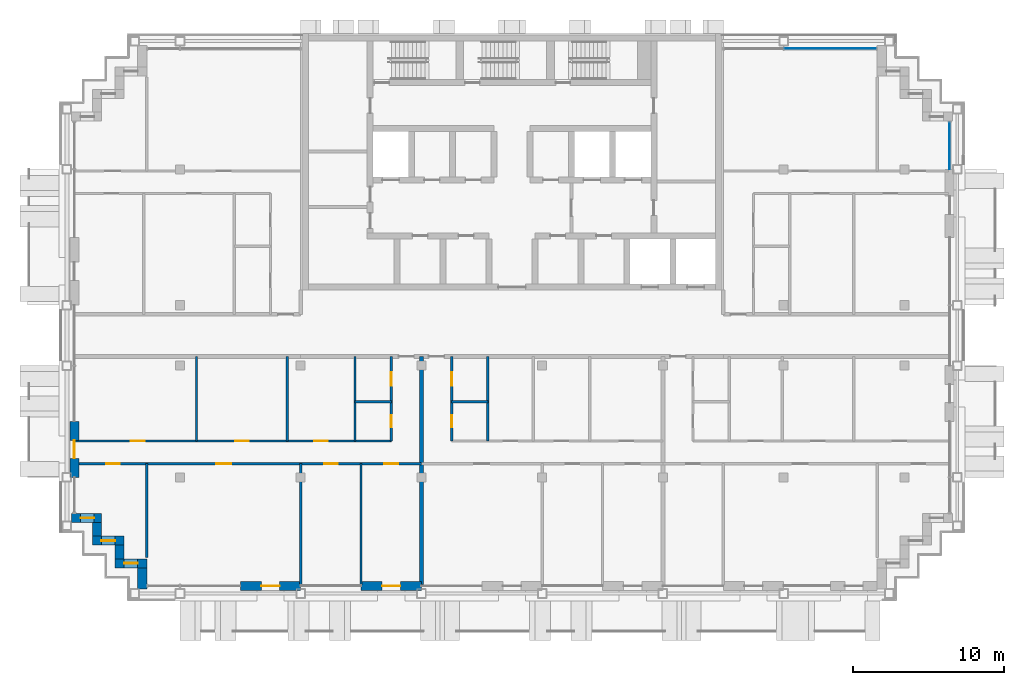
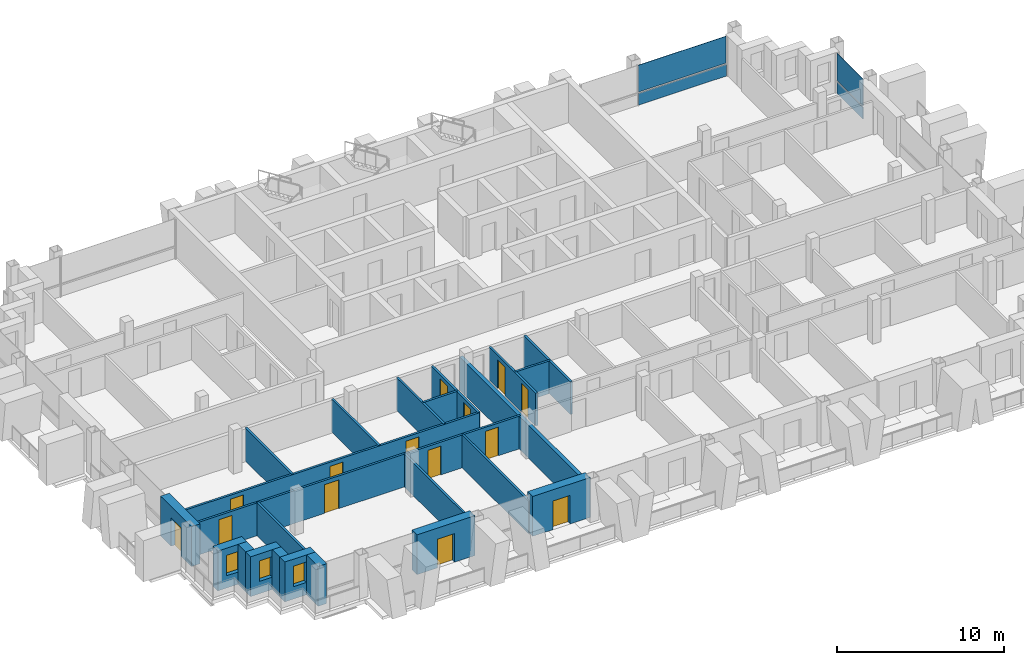
# One storey, part 7 of 15: 23 walls, 14 doors, 4 plates, 3 windows, 17 openings, 2 elements without a shape of their own.
"""IFC4 building model written with IfcOpenShell, lengths in metres."""

from ifc_helpers import new_model, si_unit, direction, frame, frame_2d, origin, origin_2d, place, context, subcontext, project, spatial, rectangle, extrude, material, layer, layer_set, type_object, element, fill, aggregate, save


model = new_model("IFC4")

# Units and contexts
model_context = context("Model", 3, precision=1e-05, world=origin(), true_north=direction((0.0, 1.0)))
body_context = subcontext(model_context, "Body", "Model", "MODEL_VIEW")
ifc_project = project(units=[si_unit("LENGTHUNIT", "METRE"), si_unit("AREAUNIT", "SQUARE_METRE"), si_unit("VOLUMEUNIT", "CUBIC_METRE"), si_unit("PLANEANGLEUNIT", "RADIAN"), si_unit("MASSUNIT", "GRAM", prefix="KILO")], contexts=[model_context])

# Site, building, storey
site_placement = place(None, origin())
site = spatial("IfcSite", under=ifc_project, at=site_placement, CompositionType="ELEMENT")
building_placement = place(site_placement, origin())
building = spatial("IfcBuilding", under=site, at=building_placement, Name="Vidyagriha Tower", CompositionType="ELEMENT")
storey_placement = place(building_placement, frame((0.0, 0.0, 226.800048828125)))
storey = spatial("IfcBuildingStorey", under=building, at=storey_placement, Name="L59", CompositionType="ELEMENT", Elevation=226.800048828125)

# Curtain wall, plate
ifc_material_1 = material(Name="Aluminium and glass curtain wall", Category="aluminium")
curtain_wall_type = type_object("IfcCurtainWallType", Name="Dwelling skin unitised curtain wall", PredefinedType="USERDEFINED", material=ifc_material_1)
curtain_wall_1_placement = place(storey_placement, origin())
curtain_wall_1 = element("IfcCurtainWall", 1, at=curtain_wall_1_placement, inside=storey, type_object=curtain_wall_type, Name="CW1 dwelling skin", ObjectType="UNITISED", PredefinedType="USERDEFINED")
ifc_material_2 = material(Name="Glass dark ceramic-fritted spandrel", Category="glass")
ifc_layer_1 = layer(ifc_material_2, 0.0400390625)
ifc_layer_set_1 = layer_set([ifc_layer_1], Name="Glass dark ceramic-fritted spandrel")
plate_type_1 = type_object("IfcPlateType", Name="Ceramic-fritted spandrel panel", PredefinedType="CURTAIN_PANEL", material=ifc_layer_set_1)
plate_1_placement = place(storey_placement, frame((21.08251953125, 19.0, 0.0), z_axis=(0.0, 0.0, 1.0), x_axis=(-1.0, 0.0, 0.0)))
plate_1 = element("IfcPlate", 2, at=plate_1_placement, type_object=plate_type_1, Name="CW1 panel 1.1", PredefinedType="CURTAIN_PANEL", context=body_context, shape_type="SweptSolid", body=[
    extrude(rectangle(XDim=6.094970703125, YDim=0.0400390625, at=origin_2d()), origin(), (0.0, 0.0, 1.0), 0.85009765625),
])

curtain_wall_2_placement = place(storey_placement, origin())
curtain_wall_2 = element("IfcCurtainWall", 3, at=curtain_wall_2_placement, inside=storey, type_object=curtain_wall_type, Name="CW1 dwelling skin", ObjectType="UNITISED", PredefinedType="USERDEFINED")
plate_2_placement = place(storey_placement, frame((29.0, 12.56494140625, 0.0), z_axis=(0.0, 0.0, 1.0), x_axis=(0.0, 1.0, 0.0)))
plate_2 = element("IfcPlate", 4, at=plate_2_placement, type_object=plate_type_1, Name="CW1 panel 1.1", PredefinedType="CURTAIN_PANEL", context=body_context, shape_type="SweptSolid", body=[
    extrude(rectangle(XDim=3.1298828125, YDim=0.0400390625, at=origin_2d()), origin(), (0.0, 0.0, 1.0), 0.85009765625),
])

# Plate
ifc_material_3 = material(Name="Glass dark ceramic-fritted", Category="glass")
ifc_layer_2 = layer(ifc_material_3, 0.028076171875)
ifc_layer_set_2 = layer_set([ifc_layer_2], Name="Glass dark ceramic-fritted")
plate_type_2 = type_object("IfcPlateType", Name="Dark ceramic-fritted vision glass panel", PredefinedType="CURTAIN_PANEL", material=ifc_layer_set_2)
plate_3_placement = place(storey_placement, frame((21.08251953125, 19.0, 0.9501953125), z_axis=(0.0, 0.0, 1.0), x_axis=(-1.0, 0.0, 0.0)))
plate_3 = element("IfcPlate", 5, at=plate_3_placement, type_object=plate_type_2, Name="CW1 panel 1.2", PredefinedType="CURTAIN_PANEL", context=body_context, shape_type="SweptSolid", body=[
    extrude(rectangle(XDim=6.094970703125, YDim=0.028076171875, at=origin_2d()), origin(), (0.0, 0.0, 1.0), 1.969970703125),
])

aggregate(curtain_wall_1, [plate_1, plate_3])

plate_4_placement = place(storey_placement, frame((29.0, 12.56494140625, 0.9501953125), z_axis=(0.0, 0.0, 1.0), x_axis=(0.0, 1.0, 0.0)))
plate_4 = element("IfcPlate", 6, at=plate_4_placement, type_object=plate_type_2, Name="CW1 panel 1.2", PredefinedType="CURTAIN_PANEL", context=body_context, shape_type="SweptSolid", body=[
    extrude(rectangle(XDim=3.1298828125, YDim=0.028076171875, at=origin_2d()), origin(), (0.0, 0.0, 1.0), 1.969970703125),
])

aggregate(curtain_wall_2, [plate_2, plate_4])

# Wall, opening, door
ifc_material_4 = material(Name="Precast concrete C40/50 with brick facing", Category="concrete")
ifc_layer_3 = layer(ifc_material_4, 0.60009765625)
ifc_layer_set_3 = layer_set([ifc_layer_3], Name="Precast concrete C40/50 with brick facing")
wall_type_1 = type_object("IfcWallType", Name="Brick-faced precast wall 600", PredefinedType="STANDARD", material=ifc_layer_set_3)
wall_1_placement = place(storey_placement, frame((-29.0, -5.699951171875, 0.0), z_axis=(0.0, 0.0, 1.0), x_axis=(0.0, -1.0, 0.0)))
wall_1 = element("IfcWall", 7, at=wall_1_placement, inside=storey, type_object=wall_type_1, Name="Brick door bay wall L59 R16.6", PredefinedType="STANDARD", context=body_context, shape_type="SweptSolid", body=[
    extrude(rectangle(XDim=3.699951171875, YDim=0.60009765625, at=frame_2d((1.85009765625, 0.0))), origin(), (0.0, 0.0, 1.0), 2.919921875),
])
opening_1_placement = place(wall_1_placement, frame((1.25, 0.0, 0.0)))
opening_1 = element("IfcOpeningElement", 8, at=opening_1_placement, cuts=wall_1, Name="Opening D59-61", PredefinedType="OPENING", context=body_context, shape_type="SweptSolid", body=[
    extrude(rectangle(XDim=1.199951171875, YDim=2.10009765625, at=frame_2d((0.60009765625, 1.050048828125))), frame((0.0, 0.31005859375, 0.0), z_axis=(0.0, -1.0, 0.0), x_axis=(1.0, 0.0, 0.0)), (0.0, 0.0, 1.0), 0.6201171875),
])
ifc_material_5 = material(Name="Aluminium framed glazed sliding door", Category="aluminium")
door_type_1 = type_object("IfcDoorType", Name="Balcony sliding door 1200x2100", OperationType="NOTDEFINED", PredefinedType="DOOR", material=ifc_material_5)
door_1_placement = place(opening_1_placement, origin())
door_1 = element("IfcDoor", 9, at=door_1_placement, inside=storey, type_object=door_type_1, Name="Door D59-61", OperationType="SLIDING_TO_LEFT", OverallHeight=2.10009765625, OverallWidth=1.199951171875, PredefinedType="DOOR", context=body_context, shape_type="SweptSolid", body=[
    extrude(rectangle(XDim=1.199951171875, YDim=2.10009765625, at=frame_2d((0.60009765625, 1.050048828125))), frame((0.0, 0.02490234375, 0.0), z_axis=(0.0, -1.0, 0.0), x_axis=(1.0, 0.0, 0.0)), (0.0, 0.0, 1.0), 0.050048828125),
])
fill(opening_1, door_1)

# Wall, opening, window
wall_2_placement = place(storey_placement, frame((-29.199951171875, -12.10009765625, 0.0)))
wall_2 = element("IfcWall", 10, at=wall_2_placement, inside=storey, type_object=wall_type_1, Name="Stepped corner wall L59 R17", PredefinedType="STANDARD", context=body_context, shape_type="SweptSolid", body=[
    extrude(rectangle(XDim=2.0, YDim=0.60009765625, at=frame_2d((1.0, 0.0))), origin(), (0.0, 0.0, 1.0), 2.919921875),
])
opening_2_placement = place(wall_2_placement, frame((0.610107421875, 0.0, 0.89990234375)))
opening_2 = element("IfcOpeningElement", 11, at=opening_2_placement, cuts=wall_2, Name="Opening WN1", PredefinedType="OPENING", context=body_context, shape_type="SweptSolid", body=[
    extrude(rectangle(XDim=0.89990234375, YDim=1.5, at=frame_2d((0.449951171875, 0.75))), frame((0.0, 0.31005859375, 0.0), z_axis=(0.0, -1.0, 0.0), x_axis=(1.0, 0.0, 0.0)), (0.0, 0.0, 1.0), 0.6201171875),
])
ifc_material_6 = material(Name="Aluminium and glass window", Category="aluminium")
window_type = type_object("IfcWindowType", Name="Reveal window 900x1500", PartitioningType="NOTDEFINED", PredefinedType="WINDOW", material=ifc_material_6)
window_1_placement = place(opening_2_placement, origin())
window_1 = element("IfcWindow", 12, at=window_1_placement, inside=storey, type_object=window_type, Name="Reveal window L59 R17", OverallHeight=1.5, OverallWidth=0.89990234375, PartitioningType="SINGLE_PANEL", PredefinedType="WINDOW", context=body_context, shape_type="SweptSolid", body=[
    extrude(rectangle(XDim=0.89990234375, YDim=1.5, at=frame_2d((0.449951171875, 0.75))), frame((0.0, 0.030029296875, 0.0), z_axis=(0.0, -1.0, 0.0), x_axis=(1.0, 0.0, 0.0)), (0.0, 0.0, 1.0), 0.06005859375),
])
fill(opening_2, window_1)

# Wall
wall_3_placement = place(storey_placement, frame((-27.5, -12.39990234375, 0.0), z_axis=(0.0, 0.0, 1.0), x_axis=(0.0, -1.0, 0.0)))
element("IfcWall", 13, at=wall_3_placement, inside=storey, type_object=wall_type_1, Name="Stepped corner wall L59 R18", PredefinedType="STANDARD", context=body_context, shape_type="SweptSolid", body=[
    extrude(rectangle(XDim=0.900146484375, YDim=0.60009765625, at=frame_2d((0.4501953125, 0.0))), origin(), (0.0, 0.0, 1.0), 2.919921875),
])

# Wall, opening, window
wall_4_placement = place(storey_placement, frame((-27.800048828125, -13.60009765625, 0.0)))
wall_4 = element("IfcWall", 14, at=wall_4_placement, inside=storey, type_object=wall_type_1, Name="Stepped corner wall L59 R19", PredefinedType="STANDARD", context=body_context, shape_type="SweptSolid", body=[
    extrude(rectangle(XDim=2.10009765625, YDim=0.60009765625, at=frame_2d((1.050048828125, 0.0))), origin(), (0.0, 0.0, 1.0), 2.919921875),
])
opening_3_placement = place(wall_4_placement, frame((0.60009765625, 0.0, 0.89990234375)))
opening_3 = element("IfcOpeningElement", 15, at=opening_3_placement, cuts=wall_4, Name="Opening WN1", PredefinedType="OPENING", context=body_context, shape_type="SweptSolid", body=[
    extrude(rectangle(XDim=0.89990234375, YDim=1.5, at=frame_2d((0.449951171875, 0.75))), frame((0.0, 0.31005859375, 0.0), z_axis=(0.0, -1.0, 0.0), x_axis=(1.0, 0.0, 0.0)), (0.0, 0.0, 1.0), 0.6201171875),
])
window_2_placement = place(opening_3_placement, origin())
window_2 = element("IfcWindow", 16, at=window_2_placement, inside=storey, type_object=window_type, Name="Reveal window L59 R19", OverallHeight=1.5, OverallWidth=0.89990234375, PartitioningType="SINGLE_PANEL", PredefinedType="WINDOW", context=body_context, shape_type="SweptSolid", body=[
    extrude(rectangle(XDim=0.89990234375, YDim=1.5, at=frame_2d((0.449951171875, 0.75))), frame((0.0, 0.030029296875, 0.0), z_axis=(0.0, -1.0, 0.0), x_axis=(1.0, 0.0, 0.0)), (0.0, 0.0, 1.0), 0.06005859375),
])
fill(opening_3, window_2)

# Wall
wall_5_placement = place(storey_placement, frame((-26.0, -13.89990234375, 0.0), z_axis=(0.0, 0.0, 1.0), x_axis=(0.0, -1.0, 0.0)))
element("IfcWall", 17, at=wall_5_placement, inside=storey, type_object=wall_type_1, Name="Stepped corner wall L59 R20", PredefinedType="STANDARD", context=body_context, shape_type="SweptSolid", body=[
    extrude(rectangle(XDim=0.900146484375, YDim=0.60009765625, at=frame_2d((0.4501953125, 0.0))), origin(), (0.0, 0.0, 1.0), 2.919921875),
])

# Wall, opening, window
wall_6_placement = place(storey_placement, frame((-26.300048828125, -15.10009765625, 0.0)))
wall_6 = element("IfcWall", 18, at=wall_6_placement, inside=storey, type_object=wall_type_1, Name="Stepped corner wall L59 R21", PredefinedType="STANDARD", context=body_context, shape_type="SweptSolid", body=[
    extrude(rectangle(XDim=2.10009765625, YDim=0.60009765625, at=frame_2d((1.050048828125, 0.0))), origin(), (0.0, 0.0, 1.0), 2.919921875),
])
opening_4_placement = place(wall_6_placement, frame((0.60009765625, 0.0, 0.89990234375)))
opening_4 = element("IfcOpeningElement", 19, at=opening_4_placement, cuts=wall_6, Name="Opening WN1", PredefinedType="OPENING", context=body_context, shape_type="SweptSolid", body=[
    extrude(rectangle(XDim=0.89990234375, YDim=1.5, at=frame_2d((0.449951171875, 0.75))), frame((0.0, 0.31005859375, 0.0), z_axis=(0.0, -1.0, 0.0), x_axis=(1.0, 0.0, 0.0)), (0.0, 0.0, 1.0), 0.6201171875),
])
window_3_placement = place(opening_4_placement, origin())
window_3 = element("IfcWindow", 20, at=window_3_placement, inside=storey, type_object=window_type, Name="Reveal window L59 R21", OverallHeight=1.5, OverallWidth=0.89990234375, PartitioningType="SINGLE_PANEL", PredefinedType="WINDOW", context=body_context, shape_type="SweptSolid", body=[
    extrude(rectangle(XDim=0.89990234375, YDim=1.5, at=frame_2d((0.449951171875, 0.75))), frame((0.0, 0.030029296875, 0.0), z_axis=(0.0, -1.0, 0.0), x_axis=(1.0, 0.0, 0.0)), (0.0, 0.0, 1.0), 0.06005859375),
])
fill(opening_4, window_3)

# Wall
wall_7_placement = place(storey_placement, frame((-24.5, -15.39990234375, 0.0), z_axis=(0.0, 0.0, 1.0), x_axis=(0.0, -1.0, 0.0)))
element("IfcWall", 21, at=wall_7_placement, inside=storey, type_object=wall_type_1, Name="Stepped corner wall L59 R22", PredefinedType="STANDARD", context=body_context, shape_type="SweptSolid", body=[
    extrude(rectangle(XDim=1.400146484375, YDim=0.60009765625, at=frame_2d((0.7001953125, 0.0))), origin(), (0.0, 0.0, 1.0), 2.919921875),
])

# Wall, opening, door
wall_8_placement = place(storey_placement, frame((-18.0, -16.60009765625, 0.0)))
wall_8 = element("IfcWall", 22, at=wall_8_placement, inside=storey, type_object=wall_type_1, Name="Brick door bay wall L59 R23.3", PredefinedType="STANDARD", context=body_context, shape_type="SweptSolid", body=[
    extrude(rectangle(XDim=4.0, YDim=0.60009765625, at=frame_2d((2.0, 0.0))), origin(), (0.0, 0.0, 1.0), 2.919921875),
])
opening_5_placement = place(wall_8_placement, frame((1.39990234375, 0.0, 0.0)))
opening_5 = element("IfcOpeningElement", 23, at=opening_5_placement, cuts=wall_8, Name="Opening D59-62", PredefinedType="OPENING", context=body_context, shape_type="SweptSolid", body=[
    extrude(rectangle(XDim=1.199951171875, YDim=2.10009765625, at=frame_2d((0.60009765625, 1.050048828125))), frame((0.0, 0.31005859375, 0.0), z_axis=(0.0, -1.0, 0.0), x_axis=(1.0, 0.0, 0.0)), (0.0, 0.0, 1.0), 0.6201171875),
])
door_2_placement = place(opening_5_placement, origin())
door_2 = element("IfcDoor", 24, at=door_2_placement, inside=storey, type_object=door_type_1, Name="Door D59-62", OperationType="SLIDING_TO_LEFT", OverallHeight=2.10009765625, OverallWidth=1.199951171875, PredefinedType="DOOR", context=body_context, shape_type="SweptSolid", body=[
    extrude(rectangle(XDim=1.199951171875, YDim=2.10009765625, at=frame_2d((0.60009765625, 1.050048828125))), frame((0.0, 0.02490234375, 0.0), z_axis=(0.0, -1.0, 0.0), x_axis=(1.0, 0.0, 0.0)), (0.0, 0.0, 1.0), 0.050048828125),
])
fill(opening_5, door_2)

wall_9_placement = place(storey_placement, frame((-10.0, -16.60009765625, 0.0)))
wall_9 = element("IfcWall", 25, at=wall_9_placement, inside=storey, type_object=wall_type_1, Name="Brick door bay wall L59 R23.5", PredefinedType="STANDARD", context=body_context, shape_type="SweptSolid", body=[
    extrude(rectangle(XDim=4.0, YDim=0.60009765625, at=frame_2d((2.0, 0.0))), origin(), (0.0, 0.0, 1.0), 2.919921875),
])
opening_6_placement = place(wall_9_placement, frame((1.39990234375, 0.0, 0.0)))
opening_6 = element("IfcOpeningElement", 26, at=opening_6_placement, cuts=wall_9, Name="Opening D59-63", PredefinedType="OPENING", context=body_context, shape_type="SweptSolid", body=[
    extrude(rectangle(XDim=1.199951171875, YDim=2.10009765625, at=frame_2d((0.60009765625, 1.050048828125))), frame((0.0, 0.31005859375, 0.0), z_axis=(0.0, -1.0, 0.0), x_axis=(1.0, 0.0, 0.0)), (0.0, 0.0, 1.0), 0.6201171875),
])
door_3_placement = place(opening_6_placement, origin())
door_3 = element("IfcDoor", 27, at=door_3_placement, inside=storey, type_object=door_type_1, Name="Door D59-63", OperationType="SLIDING_TO_LEFT", OverallHeight=2.10009765625, OverallWidth=1.199951171875, PredefinedType="DOOR", context=body_context, shape_type="SweptSolid", body=[
    extrude(rectangle(XDim=1.199951171875, YDim=2.10009765625, at=frame_2d((0.60009765625, 1.050048828125))), frame((0.0, 0.02490234375, 0.0), z_axis=(0.0, -1.0, 0.0), x_axis=(1.0, 0.0, 0.0)), (0.0, 0.0, 1.0), 0.050048828125),
])
fill(opening_6, door_3)

# Walls
ifc_material_7 = material(Name="Fired clay brick masonry", Category="masonry")
ifc_layer_4 = layer(ifc_material_7, 0.25)
ifc_layer_set_4 = layer_set([ifc_layer_4], Name="Fired clay brick masonry")
wall_type_2 = type_object("IfcWallType", Name="Fired clay brick demising wall 250", PredefinedType="PARTITIONING", material=ifc_layer_set_4)
wall_10_placement = place(storey_placement, frame((-6.0, -1.39990234375, 0.0), z_axis=(0.0, 0.0, 1.0), x_axis=(0.0, -1.0, 0.0)))
element("IfcWall", 28, at=wall_10_placement, inside=storey, type_object=wall_type_2, Name="Wall all-L59-w039", PredefinedType="PARTITIONING", context=body_context, shape_type="SweptSolid", body=[
    extrude(rectangle(XDim=15.110107421875, YDim=0.25, at=frame_2d((7.55517578125, 0.0))), origin(), (0.0, 0.0, 1.0), 2.39990234375),
])
ifc_material_8 = material(Name="Gypsum board partition")
ifc_layer_5 = layer(ifc_material_8, 0.14990234375)
ifc_layer_set_5 = layer_set([ifc_layer_5], Name="Gypsum board partition")
wall_type_3 = type_object("IfcWallType", Name="Gypsum board partition 150", PredefinedType="PARTITIONING", material=ifc_layer_set_5)
wall_11_placement = place(storey_placement, frame((-8.0, -4.39990234375, 0.0), z_axis=(0.0, 0.0, 1.0), x_axis=(-1.0, 0.0, 0.0)))
element("IfcWall", 29, at=wall_11_placement, inside=storey, type_object=wall_type_3, Name="Wall all-L59-w004", PredefinedType="PARTITIONING", context=body_context, shape_type="SweptSolid", body=[
    extrude(rectangle(XDim=2.39990234375, YDim=0.14990234375, at=frame_2d((1.199951171875, 0.0))), origin(), (0.0, 0.0, 1.0), 2.39990234375),
])
for number, where, z_axis, x_axis, name in (
    (30, (-10.39990234375, -7.0, 0.0), (0.0, 0.0, 1.0), (0.0, 1.0, 0.0), "Wall all-L59-w005"),
    (31, (-14.89990234375, -7.0, 0.0), (0.0, 0.0, 1.0), (0.0, 1.0, 0.0), "Wall all-L59-w006"),
    (32, (-20.89990234375, -7.0, 0.0), (0.0, 0.0, 1.0), (0.0, 1.0, 0.0), "Wall all-L59-w007"),
):
    element("IfcWall", number, at=place(storey_placement, frame(where, z_axis=z_axis, x_axis=x_axis)), inside=storey, type_object=wall_type_3, Name=name, PredefinedType="PARTITIONING", context=body_context, shape_type="SweptSolid", body=[
        extrude(rectangle(XDim=5.60009765625, YDim=0.14990234375, at=frame_2d((2.800048828125, 0.0))), origin(), (0.0, 0.0, 1.0), 2.39990234375),
    ])

# Wall, openings, doors
wall_12_placement = place(storey_placement, frame((-28.909912109375, -7.0, 0.0)))
wall_12 = element("IfcWall", 33, at=wall_12_placement, inside=storey, type_object=wall_type_3, Name="Wall all-L59-w008", PredefinedType="PARTITIONING", context=body_context, shape_type="SweptSolid", body=[
    extrude(rectangle(XDim=20.909912109375, YDim=0.14990234375, at=frame_2d((10.455078125, 0.0))), origin(), (0.0, 0.0, 1.0), 2.39990234375),
])
opening_7_placement = place(wall_12_placement, frame((15.81005859375, 0.0, 0.0)))
opening_7 = element("IfcOpeningElement", 34, at=opening_7_placement, cuts=wall_12, Name="Opening D59-20", PredefinedType="OPENING", context=body_context, shape_type="SweptSolid", body=[
    extrude(rectangle(XDim=0.89990234375, YDim=2.10009765625, at=frame_2d((0.449951171875, 1.050048828125))), frame((0.0, 0.0849609375, 0.0), z_axis=(0.0, -1.0, 0.0), x_axis=(1.0, 0.0, 0.0)), (0.0, 0.0, 1.0), 0.169921875),
])
opening_8_placement = place(wall_12_placement, frame((10.56005859375, 0.0, 0.0)))
opening_8 = element("IfcOpeningElement", 35, at=opening_8_placement, cuts=wall_12, Name="Opening D59-21", PredefinedType="OPENING", context=body_context, shape_type="SweptSolid", body=[
    extrude(rectangle(XDim=0.89990234375, YDim=2.10009765625, at=frame_2d((0.449951171875, 1.050048828125))), frame((0.0, 0.0849609375, 0.0), z_axis=(0.0, -1.0, 0.0), x_axis=(1.0, 0.0, 0.0)), (0.0, 0.0, 1.0), 0.169921875),
])
opening_9_placement = place(wall_12_placement, frame((3.659912109375, 0.0, 0.0)))
opening_9 = element("IfcOpeningElement", 36, at=opening_9_placement, cuts=wall_12, Name="Opening D59-22", PredefinedType="OPENING", context=body_context, shape_type="SweptSolid", body=[
    extrude(rectangle(XDim=0.89990234375, YDim=2.10009765625, at=frame_2d((0.449951171875, 1.050048828125))), frame((0.0, 0.0849609375, 0.0), z_axis=(0.0, -1.0, 0.0), x_axis=(1.0, 0.0, 0.0)), (0.0, 0.0, 1.0), 0.169921875),
])
ifc_material_9 = material(Name="Timber door leaf", Category="wood")
door_type_2 = type_object("IfcDoorType", Name="Room door 900x2100", OperationType="NOTDEFINED", PredefinedType="DOOR", material=ifc_material_9)
door_4_placement = place(opening_7_placement, origin())
door_4 = element("IfcDoor", 37, at=door_4_placement, inside=storey, type_object=door_type_2, Name="Door D59-20", OperationType="SINGLE_SWING_LEFT", OverallHeight=2.10009765625, OverallWidth=0.89990234375, PredefinedType="DOOR", context=body_context, shape_type="SweptSolid", body=[
    extrude(rectangle(XDim=0.89990234375, YDim=2.10009765625, at=frame_2d((0.449951171875, 1.050048828125))), frame((0.0, 0.02490234375, 0.0), z_axis=(0.0, -1.0, 0.0), x_axis=(1.0, 0.0, 0.0)), (0.0, 0.0, 1.0), 0.050048828125),
])
fill(opening_7, door_4)
door_5_placement = place(opening_8_placement, origin())
door_5 = element("IfcDoor", 38, at=door_5_placement, inside=storey, type_object=door_type_2, Name="Door D59-21", OperationType="SINGLE_SWING_RIGHT", OverallHeight=2.10009765625, OverallWidth=0.89990234375, PredefinedType="DOOR", context=body_context, shape_type="SweptSolid", body=[
    extrude(rectangle(XDim=0.89990234375, YDim=2.10009765625, at=frame_2d((0.449951171875, 1.050048828125))), frame((0.0, 0.02490234375, 0.0), z_axis=(0.0, -1.0, 0.0), x_axis=(1.0, 0.0, 0.0)), (0.0, 0.0, 1.0), 0.050048828125),
])
fill(opening_8, door_5)
door_6_placement = place(opening_9_placement, origin())
door_6 = element("IfcDoor", 39, at=door_6_placement, inside=storey, type_object=door_type_2, Name="Door D59-22", OperationType="SINGLE_SWING_LEFT", OverallHeight=2.10009765625, OverallWidth=0.89990234375, PredefinedType="DOOR", context=body_context, shape_type="SweptSolid", body=[
    extrude(rectangle(XDim=0.89990234375, YDim=2.10009765625, at=frame_2d((0.449951171875, 1.050048828125))), frame((0.0, 0.02490234375, 0.0), z_axis=(0.0, -1.0, 0.0), x_axis=(1.0, 0.0, 0.0)), (0.0, 0.0, 1.0), 0.050048828125),
])
fill(opening_9, door_6)

wall_13_placement = place(storey_placement, frame((-6.0, -8.5, 0.0), z_axis=(0.0, 0.0, 1.0), x_axis=(-1.0, 0.0, 0.0)))
wall_13 = element("IfcWall", 40, at=wall_13_placement, inside=storey, type_object=wall_type_3, Name="Wall all-L59-w012", PredefinedType="PARTITIONING", context=body_context, shape_type="SweptSolid", body=[
    extrude(rectangle(XDim=22.909912109375, YDim=0.14990234375, at=frame_2d((11.455078125, 0.0))), origin(), (0.0, 0.0, 1.0), 2.39990234375),
])
opening_10_placement = place(wall_13_placement, frame((20.0, 0.0, 0.0)))
opening_10 = element("IfcOpeningElement", 41, at=opening_10_placement, cuts=wall_13, Name="Opening D59-23", PredefinedType="OPENING", context=body_context, shape_type="SweptSolid", body=[
    extrude(rectangle(XDim=0.89990234375, YDim=2.10009765625, at=frame_2d((0.449951171875, 1.050048828125))), frame((0.0, 0.0849609375, 0.0), z_axis=(0.0, -1.0, 0.0), x_axis=(1.0, 0.0, 0.0)), (0.0, 0.0, 1.0), 0.169921875),
])
opening_11_placement = place(wall_13_placement, frame((12.60009765625, 0.0, 0.0)))
opening_11 = element("IfcOpeningElement", 42, at=opening_11_placement, cuts=wall_13, Name="Opening D59-24", PredefinedType="OPENING", context=body_context, shape_type="SweptSolid", body=[
    extrude(rectangle(XDim=1.0, YDim=2.10009765625, at=frame_2d((0.5, 1.050048828125))), frame((0.0, 0.0849609375, 0.0), z_axis=(0.0, -1.0, 0.0), x_axis=(1.0, 0.0, 0.0)), (0.0, 0.0, 1.0), 0.169921875),
])
opening_12_placement = place(wall_13_placement, frame((5.550048828125, 0.0, 0.0)))
opening_12 = element("IfcOpeningElement", 43, at=opening_12_placement, cuts=wall_13, Name="Opening D59-25", PredefinedType="OPENING", context=body_context, shape_type="SweptSolid", body=[
    extrude(rectangle(XDim=0.89990234375, YDim=2.10009765625, at=frame_2d((0.449951171875, 1.050048828125))), frame((0.0, 0.0849609375, 0.0), z_axis=(0.0, -1.0, 0.0), x_axis=(1.0, 0.0, 0.0)), (0.0, 0.0, 1.0), 0.169921875),
])
opening_13_placement = place(wall_13_placement, frame((1.550048828125, 0.0, 0.0)))
opening_13 = element("IfcOpeningElement", 44, at=opening_13_placement, cuts=wall_13, Name="Opening D59-26", PredefinedType="OPENING", context=body_context, shape_type="SweptSolid", body=[
    extrude(rectangle(XDim=0.89990234375, YDim=2.10009765625, at=frame_2d((0.449951171875, 1.050048828125))), frame((0.0, 0.0849609375, 0.0), z_axis=(0.0, -1.0, 0.0), x_axis=(1.0, 0.0, 0.0)), (0.0, 0.0, 1.0), 0.169921875),
])
ifc_material_10 = material(Name="Timber door leaf", Category="wood")
door_type_3 = type_object("IfcDoorType", Name="Room door 1000x2100", OperationType="NOTDEFINED", PredefinedType="DOOR", material=ifc_material_10)
door_7_placement = place(opening_11_placement, origin())
door_7 = element("IfcDoor", 45, at=door_7_placement, inside=storey, type_object=door_type_3, Name="Door D59-24", OperationType="SINGLE_SWING_RIGHT", OverallHeight=2.10009765625, OverallWidth=1.0, PredefinedType="DOOR", context=body_context, shape_type="SweptSolid", body=[
    extrude(rectangle(XDim=1.0, YDim=2.10009765625, at=frame_2d((0.5, 1.050048828125))), frame((0.0, 0.02490234375, 0.0), z_axis=(0.0, -1.0, 0.0), x_axis=(1.0, 0.0, 0.0)), (0.0, 0.0, 1.0), 0.050048828125),
])
fill(opening_11, door_7)
door_8_placement = place(opening_10_placement, origin())
door_8 = element("IfcDoor", 46, at=door_8_placement, inside=storey, type_object=door_type_2, Name="Door D59-23", OperationType="SINGLE_SWING_RIGHT", OverallHeight=2.10009765625, OverallWidth=0.89990234375, PredefinedType="DOOR", context=body_context, shape_type="SweptSolid", body=[
    extrude(rectangle(XDim=0.89990234375, YDim=2.10009765625, at=frame_2d((0.449951171875, 1.050048828125))), frame((0.0, 0.02490234375, 0.0), z_axis=(0.0, -1.0, 0.0), x_axis=(1.0, 0.0, 0.0)), (0.0, 0.0, 1.0), 0.050048828125),
])
fill(opening_10, door_8)
door_9_placement = place(opening_12_placement, origin())
door_9 = element("IfcDoor", 47, at=door_9_placement, inside=storey, type_object=door_type_2, Name="Door D59-25", OperationType="SINGLE_SWING_RIGHT", OverallHeight=2.10009765625, OverallWidth=0.89990234375, PredefinedType="DOOR", context=body_context, shape_type="SweptSolid", body=[
    extrude(rectangle(XDim=0.89990234375, YDim=2.10009765625, at=frame_2d((0.449951171875, 1.050048828125))), frame((0.0, 0.02490234375, 0.0), z_axis=(0.0, -1.0, 0.0), x_axis=(1.0, 0.0, 0.0)), (0.0, 0.0, 1.0), 0.050048828125),
])
fill(opening_12, door_9)
door_10_placement = place(opening_13_placement, origin())
door_10 = element("IfcDoor", 48, at=door_10_placement, inside=storey, type_object=door_type_2, Name="Door D59-26", OperationType="SINGLE_SWING_RIGHT", OverallHeight=2.10009765625, OverallWidth=0.89990234375, PredefinedType="DOOR", context=body_context, shape_type="SweptSolid", body=[
    extrude(rectangle(XDim=0.89990234375, YDim=2.10009765625, at=frame_2d((0.449951171875, 1.050048828125))), frame((0.0, 0.02490234375, 0.0), z_axis=(0.0, -1.0, 0.0), x_axis=(1.0, 0.0, 0.0)), (0.0, 0.0, 1.0), 0.050048828125),
])
fill(opening_13, door_10)

# Walls
wall_14_placement = place(storey_placement, frame((-24.199951171875, -8.5, 0.0), z_axis=(0.0, 0.0, 1.0), x_axis=(0.0, -1.0, 0.0)))
element("IfcWall", 49, at=wall_14_placement, inside=storey, type_object=wall_type_3, Name="Wall all-L59-w017", PredefinedType="PARTITIONING", context=body_context, shape_type="SweptSolid", body=[
    extrude(rectangle(XDim=6.219970703125, YDim=0.14990234375, at=frame_2d((3.10986328125, 0.0))), origin(), (0.0, 0.0, 1.0), 2.39990234375),
])
wall_15_placement = place(storey_placement, frame((-14.0, -8.5, 0.0), z_axis=(0.0, 0.0, 1.0), x_axis=(0.0, -1.0, 0.0)))
element("IfcWall", 50, at=wall_15_placement, inside=storey, type_object=wall_type_3, Name="Wall all-L59-w018", PredefinedType="PARTITIONING", context=body_context, shape_type="SweptSolid", body=[
    extrude(rectangle(XDim=8.010009765625, YDim=0.14990234375, at=frame_2d((4.0048828125, 0.0))), origin(), (0.0, 0.0, 1.0), 2.39990234375),
])
wall_16_placement = place(storey_placement, frame((-10.0, -8.5, 0.0), z_axis=(0.0, 0.0, 1.0), x_axis=(0.0, -1.0, 0.0)))
element("IfcWall", 51, at=wall_16_placement, inside=storey, type_object=wall_type_3, Name="Wall all-L59-w019", PredefinedType="PARTITIONING", context=body_context, shape_type="SweptSolid", body=[
    extrude(rectangle(XDim=8.02099609375, YDim=0.14990234375, at=frame_2d((4.010498046875, 0.0))), origin(), (0.0, 0.0, 1.0), 2.39990234375),
])
wall_17_placement = place(storey_placement, frame((-1.60009765625, -4.39990234375, 0.0), z_axis=(0.0, 0.0, 1.0), x_axis=(-1.0, 0.0, 0.0)))
element("IfcWall", 52, at=wall_17_placement, inside=storey, type_object=wall_type_3, Name="Wall all-L59-w024", PredefinedType="PARTITIONING", context=body_context, shape_type="SweptSolid", body=[
    extrude(rectangle(XDim=2.39990234375, YDim=0.14990234375, at=frame_2d((1.199951171875, 0.0))), origin(), (0.0, 0.0, 1.0), 2.39990234375),
])
wall_18_placement = place(storey_placement, frame((-1.60009765625, -1.39990234375, 0.0), z_axis=(0.0, 0.0, 1.0), x_axis=(0.0, -1.0, 0.0)))
element("IfcWall", 53, at=wall_18_placement, inside=storey, type_object=wall_type_3, Name="Wall all-L59-w025", PredefinedType="PARTITIONING", context=body_context, shape_type="SweptSolid", body=[
    extrude(rectangle(XDim=5.60009765625, YDim=0.14990234375, at=frame_2d((2.800048828125, 0.0))), origin(), (0.0, 0.0, 1.0), 2.39990234375),
])

# Wall, openings, doors
ifc_material_11 = material(Name="Moisture resistant gypsum board partition")
ifc_layer_6 = layer(ifc_material_11, 0.14990234375)
ifc_layer_set_6 = layer_set([ifc_layer_6], Name="Moisture resistant gypsum board partition")
wall_type_4 = type_object("IfcWallType", Name="Gypsum board wet-area partition 150", PredefinedType="PARTITIONING", material=ifc_layer_set_6)
wall_19_placement = place(storey_placement, frame((-8.0, -7.0, 0.0), z_axis=(0.0, 0.0, 1.0), x_axis=(0.0, 1.0, 0.0)))
wall_19 = element("IfcWall", 54, at=wall_19_placement, inside=storey, type_object=wall_type_4, Name="Wall all-L59-w001", PredefinedType="PARTITIONING", context=body_context, shape_type="SweptSolid", body=[
    extrude(rectangle(XDim=5.60009765625, YDim=0.14990234375, at=frame_2d((2.800048828125, 0.0))), origin(), (0.0, 0.0, 1.0), 2.39990234375),
])
opening_14_placement = place(wall_19_placement, frame((3.64990234375, 0.0, 0.0)))
opening_14 = element("IfcOpeningElement", 55, at=opening_14_placement, cuts=wall_19, Name="Opening D59-18", PredefinedType="OPENING", context=body_context, shape_type="SweptSolid", body=[
    extrude(rectangle(XDim=0.89990234375, YDim=2.10009765625, at=frame_2d((0.449951171875, 1.050048828125))), frame((0.0, 0.0849609375, 0.0), z_axis=(0.0, -1.0, 0.0), x_axis=(1.0, 0.0, 0.0)), (0.0, 0.0, 1.0), 0.169921875),
])
opening_15_placement = place(wall_19_placement, frame((0.89990234375, 0.0, 0.0)))
opening_15 = element("IfcOpeningElement", 56, at=opening_15_placement, cuts=wall_19, Name="Opening D59-19", PredefinedType="OPENING", context=body_context, shape_type="SweptSolid", body=[
    extrude(rectangle(XDim=0.800048828125, YDim=2.10009765625, at=frame_2d((0.39990234375, 1.050048828125))), frame((0.0, 0.0849609375, 0.0), z_axis=(0.0, -1.0, 0.0), x_axis=(1.0, 0.0, 0.0)), (0.0, 0.0, 1.0), 0.169921875),
])
ifc_material_12 = material(Name="Timber door leaf", Category="wood")
door_type_4 = type_object("IfcDoorType", Name="Bathroom door 800x2100", OperationType="NOTDEFINED", PredefinedType="DOOR", material=ifc_material_12)
door_11_placement = place(opening_15_placement, origin())
door_11 = element("IfcDoor", 57, at=door_11_placement, inside=storey, type_object=door_type_4, Name="Door D59-19", OperationType="SINGLE_SWING_RIGHT", OverallHeight=2.10009765625, OverallWidth=0.800048828125, PredefinedType="DOOR", context=body_context, shape_type="SweptSolid", body=[
    extrude(rectangle(XDim=0.800048828125, YDim=2.10009765625, at=frame_2d((0.39990234375, 1.050048828125))), frame((0.0, 0.02490234375, 0.0), z_axis=(0.0, -1.0, 0.0), x_axis=(1.0, 0.0, 0.0)), (0.0, 0.0, 1.0), 0.050048828125),
])
fill(opening_15, door_11)
ifc_material_13 = material(Name="Timber door leaf", Category="wood")
door_type_5 = type_object("IfcDoorType", Name="Kitchen door 900x2100", OperationType="NOTDEFINED", PredefinedType="DOOR", material=ifc_material_13)
door_12_placement = place(opening_14_placement, origin())
door_12 = element("IfcDoor", 58, at=door_12_placement, inside=storey, type_object=door_type_5, Name="Door D59-18", OperationType="SINGLE_SWING_LEFT", OverallHeight=2.10009765625, OverallWidth=0.89990234375, PredefinedType="DOOR", context=body_context, shape_type="SweptSolid", body=[
    extrude(rectangle(XDim=0.89990234375, YDim=2.10009765625, at=frame_2d((0.449951171875, 1.050048828125))), frame((0.0, 0.02490234375, 0.0), z_axis=(0.0, -1.0, 0.0), x_axis=(1.0, 0.0, 0.0)), (0.0, 0.0, 1.0), 0.050048828125),
])
fill(opening_14, door_12)

wall_20_placement = place(storey_placement, frame((-4.0, -1.39990234375, 0.0), z_axis=(0.0, 0.0, 1.0), x_axis=(0.0, -1.0, 0.0)))
wall_20 = element("IfcWall", 59, at=wall_20_placement, inside=storey, type_object=wall_type_4, Name="Wall all-L59-w021", PredefinedType="PARTITIONING", context=body_context, shape_type="SweptSolid", body=[
    extrude(rectangle(XDim=5.60009765625, YDim=0.14990234375, at=frame_2d((2.800048828125, 0.0))), origin(), (0.0, 0.0, 1.0), 2.39990234375),
])
opening_16_placement = place(wall_20_placement, frame((1.050048828125, 0.0, 0.0)))
opening_16 = element("IfcOpeningElement", 60, at=opening_16_placement, cuts=wall_20, Name="Opening D59-28", PredefinedType="OPENING", context=body_context, shape_type="SweptSolid", body=[
    extrude(rectangle(XDim=0.89990234375, YDim=2.10009765625, at=frame_2d((0.449951171875, 1.050048828125))), frame((0.0, 0.0849609375, 0.0), z_axis=(0.0, -1.0, 0.0), x_axis=(1.0, 0.0, 0.0)), (0.0, 0.0, 1.0), 0.169921875),
])
opening_17_placement = place(wall_20_placement, frame((3.89990234375, 0.0, 0.0)))
opening_17 = element("IfcOpeningElement", 61, at=opening_17_placement, cuts=wall_20, Name="Opening D59-29", PredefinedType="OPENING", context=body_context, shape_type="SweptSolid", body=[
    extrude(rectangle(XDim=0.800048828125, YDim=2.10009765625, at=frame_2d((0.39990234375, 1.050048828125))), frame((0.0, 0.0849609375, 0.0), z_axis=(0.0, -1.0, 0.0), x_axis=(1.0, 0.0, 0.0)), (0.0, 0.0, 1.0), 0.169921875),
])
door_13_placement = place(opening_17_placement, origin())
door_13 = element("IfcDoor", 62, at=door_13_placement, inside=storey, type_object=door_type_4, Name="Door D59-29", OperationType="SINGLE_SWING_RIGHT", OverallHeight=2.10009765625, OverallWidth=0.800048828125, PredefinedType="DOOR", context=body_context, shape_type="SweptSolid", body=[
    extrude(rectangle(XDim=0.800048828125, YDim=2.10009765625, at=frame_2d((0.39990234375, 1.050048828125))), frame((0.0, 0.02490234375, 0.0), z_axis=(0.0, -1.0, 0.0), x_axis=(1.0, 0.0, 0.0)), (0.0, 0.0, 1.0), 0.050048828125),
])
fill(opening_17, door_13)
door_14_placement = place(opening_16_placement, origin())
door_14 = element("IfcDoor", 63, at=door_14_placement, inside=storey, type_object=door_type_5, Name="Door D59-28", OperationType="SINGLE_SWING_LEFT", OverallHeight=2.10009765625, OverallWidth=0.89990234375, PredefinedType="DOOR", context=body_context, shape_type="SweptSolid", body=[
    extrude(rectangle(XDim=0.89990234375, YDim=2.10009765625, at=frame_2d((0.449951171875, 1.050048828125))), frame((0.0, 0.02490234375, 0.0), z_axis=(0.0, -1.0, 0.0), x_axis=(1.0, 0.0, 0.0)), (0.0, 0.0, 1.0), 0.050048828125),
])
fill(opening_16, door_14)

save(model, "model.ifc")
